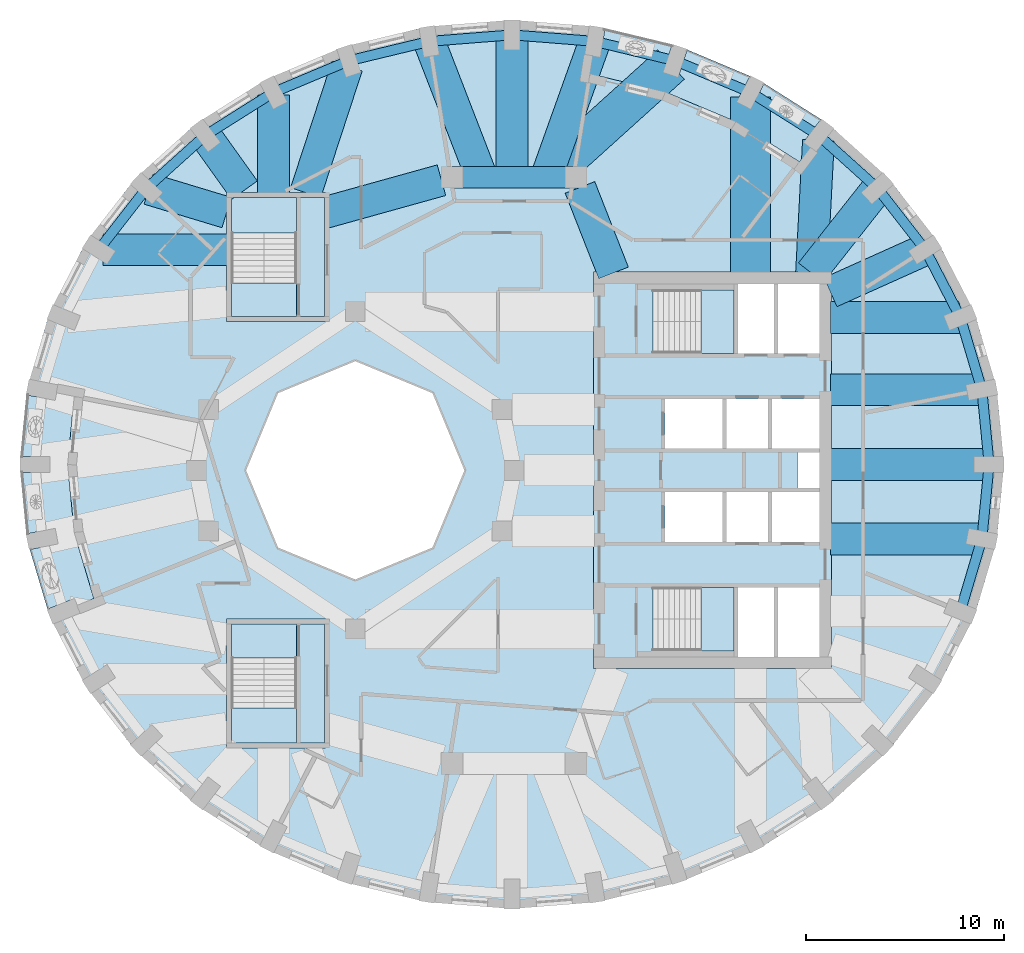
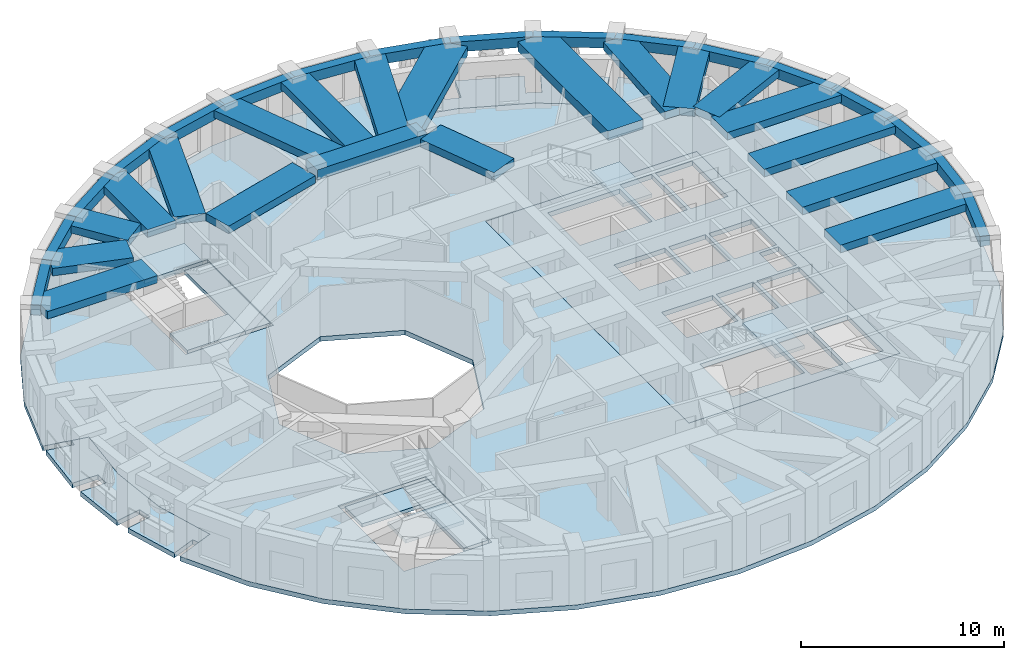
# One storey, part 2 of 12: 37 beams, 12 slabs, 4 elements without a shape of their own.
"""IFC4 building model written with IfcOpenShell, lengths in metres."""

import ifcopenshell
import ifcopenshell.guid

model = None  # the IFC model being written
_history = None  # IfcOwnerHistory: only IFC2X3 demands one
_inside = {}  # id of a spatial element -> (the spatial element, [elements in it])
_under = {}  # id of a project, library or spatial element -> (it, [spatial elements below it])
_declared = {}  # id of a project -> (the project, [libraries it declares])
_typed = {}  # id of a type object -> (the type object, [elements of that type])
_made_of = {}  # id of a material, layer set ... -> (it, [elements and type objects made of it])


def new_model(schema):
    """Start an empty IFC model of exactly this schema.

    Asked for "IFC4X3", IfcOpenShell would pick the latest addendum, in which some entities
    have other attributes; the version numbers below select the first issue.
    IFC2X3 requires an IfcOwnerHistory on every rooted entity: one is made here for all.
    """
    global model, _history
    if schema == "IFC4X3":
        model = ifcopenshell.file(schema_version=(4, 3, 0, 0))
    else:
        model = ifcopenshell.file(schema=schema)
    _inside.clear()
    _under.clear()
    _declared.clear()
    _typed.clear()
    _made_of.clear()
    _history = None
    if model.schema == "IFC2X3":
        org = make("IfcOrganization", Name="unknown")
        user = make(
            "IfcPersonAndOrganization",
            ThePerson=make("IfcPerson", FamilyName="unknown"),
            TheOrganization=org,
        )
        app = make(
            "IfcApplication",
            ApplicationDeveloper=org,
            Version="unknown",
            ApplicationFullName="unknown",
            ApplicationIdentifier="unknown",
        )
        _history = make(
            "IfcOwnerHistory",
            OwningUser=user,
            OwningApplication=app,
            ChangeAction="ADDED",
            CreationDate=0,
        )
    return model


def make(cls, **values):
    """One entity of the class cls with the attributes given. An attribute that is None is left unset."""
    return model.create_entity(
        cls, **{name: value for name, value in values.items() if value is not None}
    )


def rooted(cls, **values):
    """An entity with a GlobalId (a new one), such as an element, a storey or a relation."""
    return make(cls, GlobalId=ifcopenshell.guid.new(), OwnerHistory=_history, **values)


def si_unit(unit_type, name, prefix=None):
    """IfcSIUnit, for example si_unit("LENGTHUNIT", "METRE", prefix="MILLI")."""
    return make("IfcSIUnit", UnitType=unit_type, Prefix=prefix, Name=name)


def assignment(units):
    """IfcUnitAssignment: the units of a project."""
    return None if units is None else make("IfcUnitAssignment", Units=units)


def point(xyz):
    """IfcCartesianPoint."""
    return None if xyz is None else make("IfcCartesianPoint", Coordinates=xyz)


def direction(xyz):
    """IfcDirection."""
    return None if xyz is None else make("IfcDirection", DirectionRatios=xyz)


def frame(location, z_axis=None, x_axis=None):
    """IfcAxis2Placement3D, a coordinate frame: its origin and axes. An axis left out is left unset."""
    return make(
        "IfcAxis2Placement3D",
        Location=point(location),
        Axis=direction(z_axis),
        RefDirection=direction(x_axis),
    )


def frame_2d(location, x_axis=None):
    """IfcAxis2Placement2D, a coordinate frame in the plane: its origin and x axis."""
    return make(
        "IfcAxis2Placement2D", Location=point(location), RefDirection=direction(x_axis)
    )


def origin():
    """The frame at (0, 0, 0) with its axes left unset."""
    return frame((0.0, 0.0, 0.0))


def origin_2d():
    """The frame at (0, 0) in the plane with its x axis left unset."""
    return frame_2d((0.0, 0.0))


def place(relative_to, where):
    """IfcLocalPlacement: puts the frame where relative to a parent placement (None: the world)."""
    return make(
        "IfcLocalPlacement", PlacementRelTo=relative_to, RelativePlacement=where
    )


def context(
    kind, dimensions, precision=None, world=None, true_north=None, identifier=None
):
    """IfcGeometricRepresentationContext, for example the 3D "Model" context."""
    return make(
        "IfcGeometricRepresentationContext",
        ContextIdentifier=identifier,
        ContextType=kind,
        CoordinateSpaceDimension=dimensions,
        Precision=precision,
        WorldCoordinateSystem=world,
        TrueNorth=true_north,
    )


def subcontext(parent, identifier, kind, view, scale=None):
    """IfcGeometricRepresentationSubContext, for example "Body" below "Model"."""
    return make(
        "IfcGeometricRepresentationSubContext",
        ContextIdentifier=identifier,
        ContextType=kind,
        ParentContext=parent,
        TargetScale=scale,
        TargetView=view,
    )


def project(units=None, contexts=None):
    """IfcProject with its units and contexts."""
    return rooted(
        "IfcProject",
        Name="project",
        RepresentationContexts=contexts,
        UnitsInContext=assignment(units),
    )


def spatial(cls, under=None, at=None, **own):
    """A site, building, storey or space (cls), placed at a placement, below another one or the project."""
    s = rooted(cls, ObjectPlacement=at, **own)
    if under is not None:
        _under.setdefault(under.id(), (under, []))[1].append(s)
    return s


def polyline(points):
    """IfcPolyline through the points."""
    return make("IfcPolyline", Points=[point(p) for p in points])


def profile(cls, at=None, kind="AREA", **sizes):
    """A parametric profile (cls). Its sizes go by their IFC names, for example OverallWidth=200.0."""
    return make(cls, ProfileType=kind, Position=at, **sizes)


def rectangle(**sizes):
    """IfcRectangleProfileDef."""
    return profile("IfcRectangleProfileDef", **sizes)


def outline(outer, holes=None, kind="AREA"):
    """IfcArbitraryClosedProfileDef: a profile drawn as a closed curve; with holes, ...WithVoids."""
    if holes is None:
        return make("IfcArbitraryClosedProfileDef", ProfileType=kind, OuterCurve=outer)
    return make(
        "IfcArbitraryProfileDefWithVoids",
        ProfileType=kind,
        OuterCurve=outer,
        InnerCurves=holes,
    )


def extrude(swept, where, along, depth):
    """IfcExtrudedAreaSolid: the profile swept, set in the frame where, extruded along a direction by depth."""
    return make(
        "IfcExtrudedAreaSolid",
        SweptArea=swept,
        Position=where,
        ExtrudedDirection=direction(along),
        Depth=depth,
    )


def shape(context_of_items, identifier, shape_type, items):
    """IfcShapeRepresentation: the items that make up one representation, for example the "Body"."""
    return make(
        "IfcShapeRepresentation",
        ContextOfItems=context_of_items,
        RepresentationIdentifier=identifier,
        RepresentationType=shape_type,
        Items=items,
    )


def material(Name=None, Category=None):
    """IfcMaterial."""
    return make("IfcMaterial", Name=Name, Category=Category)


def layer(
    of_material, thickness, ventilated=None, Name=None, Category=None, Priority=None
):
    """IfcMaterialLayer: one layer of a wall or slab, of a material (None: an air gap)."""
    return make(
        "IfcMaterialLayer",
        Material=of_material,
        LayerThickness=thickness,
        IsVentilated=ventilated,
        Name=Name,
        Category=Category,
        Priority=Priority,
    )


def layer_set(layers, Name=None):
    """IfcMaterialLayerSet."""
    return make("IfcMaterialLayerSet", MaterialLayers=layers, LayerSetName=Name)


def material_profile(
    of_material, cross_section, Name=None, Category=None, Priority=None
):
    """IfcMaterialProfile: a cross section and its material."""
    return make(
        "IfcMaterialProfile",
        Name=Name,
        Material=of_material,
        Profile=cross_section,
        Priority=Priority,
        Category=Category,
    )


def profile_set(profiles, Name=None, composite=None):
    """IfcMaterialProfileSet."""
    return make(
        "IfcMaterialProfileSet",
        Name=Name,
        MaterialProfiles=profiles,
        CompositeProfile=composite,
    )


def made_of(thing, what):
    """Note that an element or type object is made of a material, layer set ...; save() writes the relation."""
    if what is not None:
        _made_of.setdefault(what.id(), (what, []))[1].append(thing)
    return thing


def type_object(cls, material=None, **own):
    """A type object (cls), such as IfcWallType, which elements share."""
    return made_of(rooted(cls, **own), material)


def element(
    cls,
    number,
    at=None,
    inside=None,
    cuts=None,
    type_object=None,
    material=None,
    context=None,
    identifier="Body",
    shape_type=None,
    held_by="IfcProductDefinitionShape",
    body=None,
    shapes=None,
    **own,
):
    """One element of the class cls, such as IfcWall. Its Tag is "e" and its number.

    at: its placement. inside: the storey or other place that contains it. cuts: it is an
    opening in that element (IfcRelVoidsElement). A single representation is given by context,
    identifier, shape_type and body (its items); several are given by shapes. held_by: the class
    of the entity that holds the representations. save() writes the other relations.
    """
    e = rooted(cls, Tag="e%d" % number, ObjectPlacement=at, **own)
    if body is not None:
        shapes = [shape(context, identifier, shape_type, body)]
    if shapes is not None:
        e.Representation = make(held_by, Representations=shapes)
    if inside is not None:
        _inside.setdefault(inside.id(), (inside, []))[1].append(e)
    if cuts is not None:
        rooted(
            "IfcRelVoidsElement", RelatingBuildingElement=cuts, RelatedOpeningElement=e
        )
    if type_object is not None:
        _typed.setdefault(type_object.id(), (type_object, []))[1].append(e)
    return made_of(e, material)


def aggregate(whole, parts):
    """IfcRelAggregates: a whole, such as a stair, and the parts it consists of."""
    return rooted("IfcRelAggregates", RelatingObject=whole, RelatedObjects=parts)


def save(model, path):
    """Write the relations noted so far, then the file.

    IfcRelAggregates (storeys below a building ...), IfcRelContainedInSpatialStructure (elements
    in a storey), IfcRelDefinesByType, IfcRelAssociatesMaterial and IfcRelDeclares: one each for
    every whole, place, type object, material and project.
    """
    for whole, parts in _under.values():
        aggregate(whole, parts)
    for where, things in _inside.values():
        rooted(
            "IfcRelContainedInSpatialStructure",
            RelatedElements=things,
            RelatingStructure=where,
        )
    for kind, things in _typed.values():
        rooted("IfcRelDefinesByType", RelatedObjects=things, RelatingType=kind)
    for what, things in _made_of.values():
        rooted("IfcRelAssociatesMaterial", RelatedObjects=things, RelatingMaterial=what)
    for by, libraries in _declared.values():
        rooted("IfcRelDeclares", RelatingContext=by, RelatedDefinitions=libraries)
    model.write(path)


model = new_model("IFC4")

# Units and contexts
model_context = context("Model", 3, precision=1e-05, world=origin(), true_north=direction((0.0, 1.0)))
body_context = subcontext(model_context, "Body", "Model", "MODEL_VIEW")
ifc_project = project(units=[si_unit("LENGTHUNIT", "METRE"), si_unit("AREAUNIT", "SQUARE_METRE"), si_unit("VOLUMEUNIT", "CUBIC_METRE"), si_unit("PLANEANGLEUNIT", "RADIAN"), si_unit("MASSUNIT", "GRAM", prefix="KILO")], contexts=[model_context])

# Site, building, storey
site_placement = place(None, origin())
site = spatial("IfcSite", under=ifc_project, at=site_placement, CompositionType="ELEMENT")
building_placement = place(site_placement, origin())
building = spatial("IfcBuilding", under=site, at=building_placement, Name="Taillehof Tower", CompositionType="ELEMENT")
storey_placement = place(building_placement, frame((0.0, 0.0, 233.300048828125)))
storey = spatial("IfcBuildingStorey", under=building, at=storey_placement, Name="L66", CompositionType="ELEMENT", Elevation=233.300048828125)

# Beams
ifc_material_1 = material(Name="Concrete C50/60", Category="concrete")
ifc_material_profile_1 = material_profile(ifc_material_1, rectangle(XDim=1.10009765625, YDim=0.60009765625, at=origin_2d()), Name="RC 1100x600")
ifc_profile_set_1 = profile_set([ifc_material_profile_1], Name="Concrete C50/60")
beam_type_1 = type_object("IfcBeamType", Name="Mid-ring beam C50/60 1100x600", PredefinedType="BEAM", material=ifc_profile_set_1)
beam_1_placement = place(storey_placement, frame((3.125732421875, 14.772216796875, 2.719970703125), z_axis=(-1.0, 0.0, 0.0), x_axis=(0.0, -1.0, 0.0)))
element("IfcBeam", 1, at=beam_1_placement, inside=storey, type_object=beam_type_1, Name="Mid-ring beam MB01", PredefinedType="BEAM", context=body_context, shape_type="SweptSolid", body=[
    extrude(rectangle(XDim=1.10009765625, YDim=0.60009765625, at=origin_2d()), origin(), (0.0, 0.0, 1.0), 6.25146484375),
])
ifc_material_2 = material(Name="Concrete C50/60", Category="concrete")
ifc_material_profile_2 = material_profile(ifc_material_2, rectangle(XDim=1.60009765625, YDim=0.449951171875, at=origin_2d()), Name="RC 1600x450")
ifc_profile_set_2 = profile_set([ifc_material_profile_2], Name="Concrete C50/60")
beam_type_2 = type_object("IfcBeamType", Name="Radial band beam C50/60 1600x450", PredefinedType="BEAM", material=ifc_profile_set_2)
beam_2_placement = place(storey_placement, frame((23.949951171875, 0.300048828125, 2.794921875), z_axis=(-1.0, 0.0, 0.0), x_axis=(0.0, -1.0, 0.0)))
element("IfcBeam", 2, at=beam_2_placement, inside=storey, type_object=beam_type_2, Name="Radial band beam RB01", PredefinedType="BEAM", context=body_context, shape_type="SweptSolid", body=[
    extrude(rectangle(XDim=1.60009765625, YDim=0.449951171875, at=origin_2d()), origin(), (0.0, 0.0, 1.0), 8.0),
])
beam_3_placement = place(storey_placement, frame((23.584716796875, 4.0595703125, 2.794921875), z_axis=(-1.0, 0.0, 0.0), x_axis=(0.0, -1.0, 0.0)))
element("IfcBeam", 3, at=beam_3_placement, inside=storey, type_object=beam_type_2, Name="Radial band beam RB02", PredefinedType="BEAM", context=body_context, shape_type="SweptSolid", body=[
    extrude(rectangle(XDim=1.60009765625, YDim=0.449951171875, at=origin_2d()), origin(), (0.0, 0.0, 1.0), 7.634765625),
])
beam_4_placement = place(storey_placement, frame((22.44580078125, 7.704833984375, 2.794921875), z_axis=(-1.0, 0.0, 0.0), x_axis=(0.0, -1.0, 0.0)))
element("IfcBeam", 4, at=beam_4_placement, inside=storey, type_object=beam_type_2, Name="Radial band beam RB03", PredefinedType="BEAM", context=body_context, shape_type="SweptSolid", body=[
    extrude(rectangle(XDim=1.60009765625, YDim=0.449951171875, at=origin_2d()), origin(), (0.0, 0.0, 1.0), 6.495849609375),
])
beam_5_placement = place(storey_placement, frame((20.72802734375, 11.125, 2.794921875), z_axis=(-0.912110813011, -0.409943733685, 0.0), x_axis=(0.409943733685, -0.912110813011, 0.0)))
element("IfcBeam", 5, at=beam_5_placement, inside=storey, type_object=beam_type_2, Name="Radial band beam RB04", PredefinedType="BEAM", context=body_context, shape_type="SweptSolid", body=[
    extrude(rectangle(XDim=1.60009765625, YDim=0.449951171875, at=origin_2d()), origin(), (0.0, 0.0, 1.0), 5.233642578125),
])
beam_6_placement = place(storey_placement, frame((18.323486328125, 14.21630859375, 2.794921875), z_axis=(-0.619052480422, -0.785349620541, 0.0), x_axis=(0.785349620541, -0.619052480422, 0.0)))
element("IfcBeam", 6, at=beam_6_placement, inside=storey, type_object=beam_type_2, Name="Radial band beam RB05", PredefinedType="BEAM", context=body_context, shape_type="SweptSolid", body=[
    extrude(rectangle(XDim=1.60009765625, YDim=0.449951171875, at=origin_2d()), origin(), (0.0, 0.0, 1.0), 5.418701171875),
])
beam_7_placement = place(storey_placement, frame((15.3466796875, 16.645751953125, 2.794921875), z_axis=(-0.052105887855, -0.998641565553, 0.0), x_axis=(0.998641565553, -0.052105887855, 0.0)))
element("IfcBeam", 7, at=beam_7_placement, inside=storey, type_object=beam_type_2, Name="Radial band beam RB06", PredefinedType="BEAM", context=body_context, shape_type="SweptSolid", body=[
    extrude(rectangle(XDim=1.60009765625, YDim=0.449951171875, at=origin_2d()), origin(), (0.0, 0.0, 1.0), 6.704833984375),
])
beam_8_placement = place(storey_placement, frame((4.076171875, 21.62109375, 2.794921875), z_axis=(-0.33687426523, -0.941549642571, 0.0), x_axis=(0.941549642571, -0.33687426523, 0.0)))
element("IfcBeam", 8, at=beam_8_placement, inside=storey, type_object=beam_type_2, Name="Radial band beam RB09", PredefinedType="BEAM", context=body_context, shape_type="SweptSolid", body=[
    extrude(rectangle(XDim=1.60009765625, YDim=0.449951171875, at=origin_2d()), origin(), (0.0, 0.0, 1.0), 7.27392578125),
])
beam_9_placement = place(storey_placement, frame((-0.10009765625, 21.949951171875, 2.794921875), z_axis=(0.0, -1.0, 0.0), x_axis=(1.0, 0.0, 0.0)))
element("IfcBeam", 9, at=beam_9_placement, inside=storey, type_object=beam_type_2, Name="Radial band beam RB10", PredefinedType="BEAM", context=body_context, shape_type="SweptSolid", body=[
    extrude(rectangle(XDim=1.60009765625, YDim=0.449951171875, at=origin_2d()), origin(), (0.0, 0.0, 1.0), 7.177734375),
])
beam_10_placement = place(storey_placement, frame((-4.276123046875, 21.62109375, 2.794921875), z_axis=(0.360900836016, -0.932604196089, 0.0), x_axis=(0.932604196089, 0.360900836016, 0.0)))
element("IfcBeam", 10, at=beam_10_placement, inside=storey, type_object=beam_type_2, Name="Radial band beam RB11", PredefinedType="BEAM", context=body_context, shape_type="SweptSolid", body=[
    extrude(rectangle(XDim=1.60009765625, YDim=0.449951171875, at=origin_2d()), origin(), (0.0, 0.0, 1.0), 7.34375),
])
beam_11_placement = place(storey_placement, frame((-8.41162109375, 20.38134765625, 2.794921875), z_axis=(-0.311042642597, -0.950395956687, 0.0), x_axis=(0.950395956687, -0.311042642597, 0.0)))
element("IfcBeam", 11, at=beam_11_placement, inside=storey, type_object=beam_type_2, Name="Radial band beam RB12", PredefinedType="BEAM", context=body_context, shape_type="SweptSolid", body=[
    extrude(rectangle(XDim=1.60009765625, YDim=0.449951171875, at=origin_2d()), origin(), (0.0, 0.0, 1.0), 6.715576171875),
])
beam_12_placement = place(storey_placement, frame((-12.125, 18.91552734375, 2.794921875), z_axis=(0.0, -1.0, 0.0), x_axis=(1.0, 0.0, 0.0)))
element("IfcBeam", 12, at=beam_12_placement, inside=storey, type_object=beam_type_2, Name="Radial band beam RB13", PredefinedType="BEAM", context=body_context, shape_type="SweptSolid", body=[
    extrude(rectangle(XDim=1.60009765625, YDim=0.449951171875, at=origin_2d()), origin(), (0.0, 0.0, 1.0), 4.965576171875),
])
beam_13_placement = place(storey_placement, frame((-15.55908203125, 16.884765625, 2.794921875), z_axis=(0.580959197129, -0.813932682272, 0.0), x_axis=(0.813932682272, 0.580959197129, 0.0)))
element("IfcBeam", 13, at=beam_13_placement, inside=storey, type_object=beam_type_2, Name="Radial band beam RB14", PredefinedType="BEAM", context=body_context, shape_type="SweptSolid", body=[
    extrude(rectangle(XDim=1.60009765625, YDim=0.449951171875, at=origin_2d()), origin(), (0.0, 0.0, 1.0), 3.394287109375),
])
beam_14_placement = place(storey_placement, frame((-18.413818359375, 14.18310546875, 2.794921875), z_axis=(0.957221394865, -0.289356529584, 0.0), x_axis=(0.289356529584, 0.957221394865, 0.0)))
element("IfcBeam", 14, at=beam_14_placement, inside=storey, type_object=beam_type_2, Name="Radial band beam RB15", PredefinedType="BEAM", context=body_context, shape_type="SweptSolid", body=[
    extrude(rectangle(XDim=1.60009765625, YDim=0.449951171875, at=origin_2d()), origin(), (0.0, 0.0, 1.0), 4.102294921875),
])
beam_15_placement = place(storey_placement, frame((-20.7119140625, 11.125, 2.794921875), z_axis=(1.0, 0.0, 0.0), x_axis=(0.0, 1.0, 0.0)))
element("IfcBeam", 15, at=beam_15_placement, inside=storey, type_object=beam_type_2, Name="Radial band beam RB16", PredefinedType="BEAM", context=body_context, shape_type="SweptSolid", body=[
    extrude(rectangle(XDim=1.60009765625, YDim=0.449951171875, at=origin_2d()), origin(), (0.0, 0.0, 1.0), 6.261962890625),
])
beam_16_placement = place(storey_placement, frame((23.584716796875, -3.45947265625, 2.794921875), z_axis=(-1.0, 0.0, 0.0), x_axis=(0.0, -1.0, 0.0)))
element("IfcBeam", 16, at=beam_16_placement, inside=storey, type_object=beam_type_2, Name="Radial band beam RB36", PredefinedType="BEAM", context=body_context, shape_type="SweptSolid", body=[
    extrude(rectangle(XDim=1.60009765625, YDim=0.449951171875, at=origin_2d()), origin(), (0.0, 0.0, 1.0), 7.634765625),
])
beam_17_placement = place(storey_placement, frame((3.32666015625, 14.26025390625, 2.794921875), z_axis=(0.365588707223, -0.930776502255, 0.0), x_axis=(0.930776502255, 0.365588707223, 0.0)))
element("IfcBeam", 17, at=beam_17_placement, inside=storey, type_object=beam_type_2, Name="Inner band beam IB205", PredefinedType="BEAM", context=body_context, shape_type="SweptSolid", body=[
    extrude(rectangle(XDim=1.60009765625, YDim=0.449951171875, at=origin_2d()), origin(), (0.0, 0.0, 1.0), 4.627197265625),
])
beam_18_placement = place(storey_placement, frame((-3.655517578125, 14.624755859375, 2.794921875), z_axis=(-0.963459369536, -0.267854518821, 0.0), x_axis=(0.267854518821, -0.963459369536, 0.0)))
element("IfcBeam", 18, at=beam_18_placement, inside=storey, type_object=beam_type_2, Name="Inner band beam IB206", PredefinedType="BEAM", context=body_context, shape_type="SweptSolid", body=[
    extrude(rectangle(XDim=1.60009765625, YDim=0.449951171875, at=origin_2d()), origin(), (0.0, 0.0, 1.0), 6.096923828125),
])
ifc_material_3 = material(Name="Concrete C50/60", Category="concrete")
ifc_material_profile_3 = material_profile(ifc_material_3, rectangle(XDim=2.0, YDim=0.550048828125, at=origin_2d()), Name="RC 2000x550")
ifc_profile_set_3 = profile_set([ifc_material_profile_3], Name="Concrete C50/60")
beam_type_3 = type_object("IfcBeamType", Name="Radial band beam C50/60 2000x550", PredefinedType="BEAM", material=ifc_profile_set_3)
beam_19_placement = place(storey_placement, frame((11.925048828125, 18.8115234375, 2.744873046875), z_axis=(0.0, -1.0, 0.0), x_axis=(1.0, 0.0, 0.0)))
element("IfcBeam", 19, at=beam_19_placement, inside=storey, type_object=beam_type_3, Name="Radial band beam RB07", PredefinedType="BEAM", context=body_context, shape_type="SweptSolid", body=[
    extrude(rectangle(XDim=2.0, YDim=0.550048828125, at=origin_2d()), origin(), (0.0, 0.0, 1.0), 8.861572265625),
])
beam_20_placement = place(storey_placement, frame((7.9150390625, 20.4541015625, 2.744873046875), z_axis=(-0.742031364941, -0.670365164253, 0.0), x_axis=(0.670365164253, -0.742031364941, 0.0)))
element("IfcBeam", 20, at=beam_20_placement, inside=storey, type_object=beam_type_3, Name="Radial band beam RB08", PredefinedType="BEAM", context=body_context, shape_type="SweptSolid", body=[
    extrude(rectangle(XDim=2.0, YDim=0.550048828125, at=origin_2d()), origin(), (0.0, 0.0, 1.0), 8.189453125),
])
ifc_material_4 = material(Name="Concrete C50/60", Category="concrete")
ifc_material_profile_4 = material_profile(ifc_material_4, rectangle(XDim=0.5, YDim=0.60009765625, at=origin_2d()), Name="RC 500x600")
ifc_profile_set_4 = profile_set([ifc_material_profile_4], Name="Concrete C50/60")
beam_type_4 = type_object("IfcBeamType", Name="Spandrel beam C50/60 500x600", PredefinedType="SPANDREL", material=ifc_profile_set_4)
beam_21_placement = place(storey_placement, frame((23.949951171875, 0.300048828125, 2.719970703125), z_axis=(-0.096693940319, 0.995314162416, 0.0), x_axis=(-0.995314162416, -0.096693940319, 0.0)))
element("IfcBeam", 21, at=beam_21_placement, inside=storey, type_object=beam_type_4, Name="Spandrel beam SB01", PredefinedType="SPANDREL", context=body_context, shape_type="SweptSolid", body=[
    extrude(rectangle(XDim=0.5, YDim=0.60009765625, at=origin_2d()), origin(), (0.0, 0.0, 1.0), 3.777099609375),
])
beam_22_placement = place(storey_placement, frame((23.584716796875, 4.0595703125, 2.719970703125), z_axis=(-0.285327303248, 0.95843013831, 0.0), x_axis=(-0.95843013831, -0.285327303248, 0.0)))
element("IfcBeam", 22, at=beam_22_placement, inside=storey, type_object=beam_type_4, Name="Spandrel beam SB02", PredefinedType="SPANDREL", context=body_context, shape_type="SweptSolid", body=[
    extrude(rectangle(XDim=0.5, YDim=0.60009765625, at=origin_2d()), origin(), (0.0, 0.0, 1.0), 3.803466796875),
])
beam_23_placement = place(storey_placement, frame((22.49951171875, 7.704833984375, 2.719970703125), z_axis=(-0.45992118545, 0.887959741865, 0.0), x_axis=(-0.887959741865, -0.45992118545, 0.0)))
element("IfcBeam", 23, at=beam_23_placement, inside=storey, type_object=beam_type_4, Name="Spandrel beam SB03", PredefinedType="SPANDREL", context=body_context, shape_type="SweptSolid", body=[
    extrude(rectangle(XDim=0.5, YDim=0.60009765625, at=origin_2d()), origin(), (0.0, 0.0, 1.0), 3.851806640625),
])
beam_24_placement = place(storey_placement, frame((20.72802734375, 11.125, 2.719970703125), z_axis=(-0.613970823209, 0.78932872002, 0.0), x_axis=(-0.78932872002, -0.613970823209, 0.0)))
element("IfcBeam", 24, at=beam_24_placement, inside=storey, type_object=beam_type_4, Name="Spandrel beam SB04", PredefinedType="SPANDREL", context=body_context, shape_type="SweptSolid", body=[
    extrude(rectangle(XDim=0.5, YDim=0.60009765625, at=origin_2d()), origin(), (0.0, 0.0, 1.0), 3.916259765625),
])
beam_25_placement = place(storey_placement, frame((18.323486328125, 14.21630859375, 2.719970703125), z_axis=(-0.743227182134, 0.669039128704, 0.0), x_axis=(-0.669039128704, -0.743227182134, 0.0)))
element("IfcBeam", 25, at=beam_25_placement, inside=storey, type_object=beam_type_4, Name="Spandrel beam SB05", PredefinedType="SPANDREL", context=body_context, shape_type="SweptSolid", body=[
    extrude(rectangle(XDim=0.5, YDim=0.60009765625, at=origin_2d()), origin(), (0.0, 0.0, 1.0), 3.988525390625),
])
beam_26_placement = place(storey_placement, frame((15.359130859375, 16.884765625, 2.719970703125), z_axis=(-0.845944476237, 0.5332709847, 0.0), x_axis=(-0.5332709847, -0.845944476237, 0.0)))
element("IfcBeam", 26, at=beam_26_placement, inside=storey, type_object=beam_type_4, Name="Spandrel beam SB06", PredefinedType="SPANDREL", context=body_context, shape_type="SweptSolid", body=[
    extrude(rectangle(XDim=0.5, YDim=0.60009765625, at=origin_2d()), origin(), (0.0, 0.0, 1.0), 4.0595703125),
])
beam_27_placement = place(storey_placement, frame((11.925048828125, 19.049560546875, 2.719970703125), z_axis=(-0.922076419735, 0.387007850267, 0.0), x_axis=(-0.387007850267, -0.922076419735, 0.0)))
element("IfcBeam", 27, at=beam_27_placement, inside=storey, type_object=beam_type_4, Name="Spandrel beam SB07", PredefinedType="SPANDREL", context=body_context, shape_type="SweptSolid", body=[
    extrude(rectangle(XDim=0.5, YDim=0.60009765625, at=origin_2d()), origin(), (0.0, 0.0, 1.0), 4.12060546875),
])
beam_28_placement = place(storey_placement, frame((8.12548828125, 20.644287109375, 2.719970703125), z_axis=(-0.972115850295, 0.234501116425, 0.0), x_axis=(-0.234501116425, -0.972115850295, 0.0)))
element("IfcBeam", 28, at=beam_28_placement, inside=storey, type_object=beam_type_4, Name="Spandrel beam SB08", PredefinedType="SPANDREL", context=body_context, shape_type="SweptSolid", body=[
    extrude(rectangle(XDim=0.5, YDim=0.60009765625, at=origin_2d()), origin(), (0.0, 0.0, 1.0), 4.16552734375),
])
beam_29_placement = place(storey_placement, frame((4.076171875, 21.62109375, 2.719970703125), z_axis=(-0.996914011582, 0.078501296247, 0.0), x_axis=(-0.078501296247, -0.996914011582, 0.0)))
element("IfcBeam", 29, at=beam_29_placement, inside=storey, type_object=beam_type_4, Name="Spandrel beam SB09", PredefinedType="SPANDREL", context=body_context, shape_type="SweptSolid", body=[
    extrude(rectangle(XDim=0.5, YDim=0.60009765625, at=origin_2d()), origin(), (0.0, 0.0, 1.0), 4.189208984375),
])
beam_30_placement = place(storey_placement, frame((-0.10009765625, 21.949951171875, 2.719970703125), z_axis=(-0.996913652411, -0.07850585734, 0.0), x_axis=(0.07850585734, -0.996913652411, 0.0)))
element("IfcBeam", 30, at=beam_30_placement, inside=storey, type_object=beam_type_4, Name="Spandrel beam SB10", PredefinedType="SPANDREL", context=body_context, shape_type="SweptSolid", body=[
    extrude(rectangle(XDim=0.5, YDim=0.60009765625, at=origin_2d()), origin(), (0.0, 0.0, 1.0), 4.18896484375),
])
beam_31_placement = place(storey_placement, frame((-4.276123046875, 21.62109375, 2.719970703125), z_axis=(-0.972119073064, -0.234487756154, 0.0), x_axis=(0.234487756154, -0.972119073064, 0.0)))
element("IfcBeam", 31, at=beam_31_placement, inside=storey, type_object=beam_type_4, Name="Spandrel beam SB11", PredefinedType="SPANDREL", context=body_context, shape_type="SweptSolid", body=[
    extrude(rectangle(XDim=0.5, YDim=0.60009765625, at=origin_2d()), origin(), (0.0, 0.0, 1.0), 4.165771484375),
])
beam_32_placement = place(storey_placement, frame((-8.32568359375, 20.644287109375, 2.719970703125), z_axis=(-0.922067545136, -0.387028994013, 0.0), x_axis=(0.387028994013, -0.922067545136, 0.0)))
element("IfcBeam", 32, at=beam_32_placement, inside=storey, type_object=beam_type_4, Name="Spandrel beam SB12", PredefinedType="SPANDREL", context=body_context, shape_type="SweptSolid", body=[
    extrude(rectangle(XDim=0.5, YDim=0.60009765625, at=origin_2d()), origin(), (0.0, 0.0, 1.0), 4.120361328125),
])
beam_33_placement = place(storey_placement, frame((-12.125, 19.049560546875, 2.719970703125), z_axis=(-0.845944476237, -0.5332709847, 0.0), x_axis=(0.5332709847, -0.845944476237, 0.0)))
element("IfcBeam", 33, at=beam_33_placement, inside=storey, type_object=beam_type_4, Name="Spandrel beam SB13", PredefinedType="SPANDREL", context=body_context, shape_type="SweptSolid", body=[
    extrude(rectangle(XDim=0.5, YDim=0.60009765625, at=origin_2d()), origin(), (0.0, 0.0, 1.0), 4.0595703125),
])
beam_34_placement = place(storey_placement, frame((-15.55908203125, 16.884765625, 2.719970703125), z_axis=(-0.743227182134, -0.669039128704, 0.0), x_axis=(0.669039128704, -0.743227182134, 0.0)))
element("IfcBeam", 34, at=beam_34_placement, inside=storey, type_object=beam_type_4, Name="Spandrel beam SB14", PredefinedType="SPANDREL", context=body_context, shape_type="SweptSolid", body=[
    extrude(rectangle(XDim=0.5, YDim=0.60009765625, at=origin_2d()), origin(), (0.0, 0.0, 1.0), 3.988525390625),
])
beam_35_placement = place(storey_placement, frame((-18.5234375, 14.21630859375, 2.719970703125), z_axis=(-0.613970823209, -0.78932872002, 0.0), x_axis=(0.78932872002, -0.613970823209, 0.0)))
element("IfcBeam", 35, at=beam_35_placement, inside=storey, type_object=beam_type_4, Name="Spandrel beam SB15", PredefinedType="SPANDREL", context=body_context, shape_type="SweptSolid", body=[
    extrude(rectangle(XDim=0.5, YDim=0.60009765625, at=origin_2d()), origin(), (0.0, 0.0, 1.0), 3.916259765625),
])
beam_36_placement = place(storey_placement, frame((22.49951171875, -7.104736328125, 2.719970703125), z_axis=(0.285327303248, 0.95843013831, 0.0), x_axis=(-0.95843013831, 0.285327303248, 0.0)))
element("IfcBeam", 36, at=beam_36_placement, inside=storey, type_object=beam_type_4, Name="Spandrel beam SB35", PredefinedType="SPANDREL", context=body_context, shape_type="SweptSolid", body=[
    extrude(rectangle(XDim=0.5, YDim=0.60009765625, at=origin_2d()), origin(), (0.0, 0.0, 1.0), 3.803466796875),
])
beam_37_placement = place(storey_placement, frame((23.584716796875, -3.45947265625, 2.719970703125), z_axis=(0.096693940319, 0.995314162416, 0.0), x_axis=(-0.995314162416, 0.096693940319, 0.0)))
element("IfcBeam", 37, at=beam_37_placement, inside=storey, type_object=beam_type_4, Name="Spandrel beam SB36", PredefinedType="SPANDREL", context=body_context, shape_type="SweptSolid", body=[
    extrude(rectangle(XDim=0.5, YDim=0.60009765625, at=origin_2d()), origin(), (0.0, 0.0, 1.0), 3.777099609375),
])

# Slabs
ifc_material_5 = material(Name="Concrete C40/50", Category="concrete")
ifc_layer_1 = layer(ifc_material_5, 0.280029296875)
ifc_layer_set_1 = layer_set([ifc_layer_1], Name="Balcony slab 280")
slab_type_1 = type_object("IfcSlabType", Name="Balcony slab 280", PredefinedType="USERDEFINED", material=ifc_layer_set_1)
slab_1_placement = place(storey_placement, frame((0.0, 0.0, -0.280029296875)))
element("IfcSlab", 38, at=slab_1_placement, inside=storey, type_object=slab_type_1, Name="Balcony L66 pocket 5", ObjectType="BALCONY", PredefinedType="USERDEFINED", context=body_context, shape_type="SweptSolid", body=[
    extrude(outline(polyline([(-21.17822265625, -6.464111328125), (-22.013427734375, -6.80078125), (-22.153564453125, -6.453369140625), (-23.511474609375, -7.00048828125), (-24.405029296875, -3.988037109375), (-22.971923828125, -3.708251953125), (-23.125244140625, -2.923095703125), (-24.560546875, -3.203369140625), (-24.861328125, -0.10009765625), (-23.39990234375, -0.10009765625), (-23.39990234375, 0.699951171875), (-24.861328125, 0.699951171875), (-24.560546875, 3.803466796875), (-23.125244140625, 3.523193359375), (-23.051025390625, 3.90234375), (-22.167724609375, 3.72998046875), (-22.5, 0.300048828125), (-22.167724609375, -3.1298828125), (-21.17822265625, -6.464111328125)])), origin(), (0.0, 0.0, 1.0), 0.280029296875),
])
slab_2_placement = place(storey_placement, frame((0.0, 0.0, -0.280029296875)))
element("IfcSlab", 39, at=slab_2_placement, inside=storey, type_object=slab_type_1, Name="Balcony L66 pocket 1", ObjectType="BALCONY", PredefinedType="USERDEFINED", context=body_context, shape_type="SweptSolid", body=[
    extrude(outline(polyline([(3.8291015625, 19.989501953125), (3.970458984375, 20.87841796875), (4.353271484375, 20.817626953125), (4.584228515625, 22.268310546875), (7.968994140625, 21.448974609375), (7.511474609375, 20.056884765625), (8.271240234375, 19.806884765625), (8.730224609375, 21.20263671875), (11.900390625, 19.8671875), (11.2236328125, 18.5693359375), (11.932861328125, 18.199462890625), (12.612060546875, 19.501708984375), (15.47021484375, 17.69384765625), (14.587158203125, 16.52880859375), (14.935546875, 16.2646484375), (14.3916015625, 15.546630859375), (11.190185546875, 17.571044921875), (7.632568359375, 19.069091796875), (3.8291015625, 19.989501953125)])), origin(), (0.0, 0.0, 1.0), 0.280029296875),
])
ifc_material_6 = material(Name="Concrete C40/50", Category="concrete")
ifc_layer_2 = layer(ifc_material_6, 0.280029296875)
ifc_layer_set_2 = layer_set([ifc_layer_2], Name="Core floor slab C40/50 280")
slab_type_2 = type_object("IfcSlabType", Name="Core floor slab C40/50 280", PredefinedType="FLOOR", material=ifc_layer_set_2)
slab_3_placement = place(storey_placement, frame((0.0, 0.0, -0.280029296875)))
element("IfcSlab", 40, at=slab_3_placement, inside=storey, type_object=slab_type_2, Name="Core floor L66", PredefinedType="FLOOR", context=body_context, shape_type="SweptSolid", body=[
    extrude(outline(polyline([(4.0, -10.0), (4.0, 10.0), (16.0, 10.0), (16.0, -10.0), (4.0, -10.0)]), holes=[polyline([(11.10009765625, -9.10009765625), (11.10009765625, -5.89990234375), (7.00048828125, -5.89990234375), (7.00048828125, -9.10009765625), (11.10009765625, -9.10009765625)]), polyline([(10.5, -3.60009765625), (10.5, -1.10009765625), (7.60009765625, -1.10009765625), (7.60009765625, -3.60009765625), (10.5, -3.60009765625)]), polyline([(12.800048828125, -3.60009765625), (12.800048828125, -1.10009765625), (10.699951171875, -1.10009765625), (10.699951171875, -3.60009765625), (12.800048828125, -3.60009765625)]), polyline([(10.5, 3.60009765625), (7.60009765625, 3.60009765625), (7.60009765625, 1.10009765625), (10.5, 1.10009765625), (10.5, 3.60009765625)]), polyline([(12.800048828125, 1.10009765625), (12.800048828125, 3.60009765625), (10.699951171875, 3.60009765625), (10.699951171875, 1.10009765625), (12.800048828125, 1.10009765625)]), polyline([(11.10009765625, 5.89990234375), (11.10009765625, 9.10009765625), (7.00048828125, 9.10009765625), (7.00048828125, 5.89990234375), (11.10009765625, 5.89990234375)]), polyline([(13.10009765625, 9.39990234375), (11.300048828125, 9.39990234375), (11.300048828125, 5.89990234375), (13.10009765625, 5.89990234375), (13.10009765625, 9.39990234375)]), polyline([(13.10009765625, -9.39990234375), (13.10009765625, -5.89990234375), (11.300048828125, -5.89990234375), (11.300048828125, -9.39990234375), (13.10009765625, -9.39990234375)]), polyline([(15.39990234375, -9.39990234375), (15.39990234375, -5.89990234375), (13.300048828125, -5.89990234375), (13.300048828125, -9.39990234375), (15.39990234375, -9.39990234375)]), polyline([(15.39990234375, -3.60009765625), (15.39990234375, -1.10009765625), (13.0, -1.10009765625), (13.0, -3.60009765625), (15.39990234375, -3.60009765625)]), polyline([(15.39990234375, -0.89990234375), (15.39990234375, 0.89990234375), (14.300048828125, 0.89990234375), (14.300048828125, -0.89990234375), (15.39990234375, -0.89990234375)]), polyline([(15.39990234375, 1.10009765625), (15.39990234375, 3.60009765625), (13.0, 3.60009765625), (13.0, 1.10009765625), (15.39990234375, 1.10009765625)]), polyline([(15.39990234375, 5.89990234375), (15.39990234375, 9.39990234375), (13.300048828125, 9.39990234375), (13.300048828125, 5.89990234375), (15.39990234375, 5.89990234375)])]), origin(), (0.0, 0.0, 1.0), 0.280029296875),
])
ifc_material_7 = material(Name="Concrete C40/50", Category="concrete")
ifc_layer_3 = layer(ifc_material_7, 0.280029296875)
ifc_layer_set_3 = layer_set([ifc_layer_3], Name="Floor slab 280")
slab_type_3 = type_object("IfcSlabType", Name="Floor slab 280", PredefinedType="FLOOR", material=ifc_layer_set_3)
slab_4_placement = place(storey_placement, frame((0.0, 0.0, -0.280029296875)))
element("IfcSlab", 41, at=slab_4_placement, inside=storey, type_object=slab_type_3, Name="Floor slab L66", PredefinedType="FLOOR", context=body_context, shape_type="SweptSolid", body=[
    extrude(outline(polyline([(24.699951171875, 0.300048828125), (24.3232421875, 4.189697265625), (23.204345703125, 7.961181640625), (21.37744140625, 11.5), (18.89794921875, 14.698486328125), (15.841064453125, 17.45947265625), (14.3916015625, 15.546630859375), (11.190185546875, 17.57080078125), (7.632568359375, 19.069091796875), (3.8291015625, 19.989501953125), (4.20654296875, 22.359619140625), (-0.10009765625, 22.699951171875), (-4.406494140625, 22.359619140625), (-8.58203125, 21.34912109375), (-12.5, 19.698974609375), (-16.041015625, 17.45947265625), (-19.097900390625, 14.698486328125), (-21.577392578125, 11.5), (-23.404296875, 7.961181640625), (-24.523193359375, 4.189697265625), (-22.167724609375, 3.72998046875), (-22.5, 0.300048828125), (-22.167724609375, -3.1298828125), (-21.17822265625, -6.464111328125), (-23.404296875, -7.361328125), (-21.577392578125, -10.89990234375), (-19.097900390625, -14.098388671875), (-16.041015625, -16.859375), (-12.5, -19.09912109375), (-8.58203125, -20.7490234375), (-4.406494140625, -21.759765625), (-0.10009765625, -22.10009765625), (4.20654296875, -21.759765625), (8.382080078125, -20.7490234375), (12.300048828125, -19.09912109375), (15.841064453125, -16.859375), (18.89794921875, -14.098388671875), (21.37744140625, -10.89990234375), (23.204345703125, -7.361328125), (24.3232421875, -3.589599609375), (24.699951171875, 0.300048828125)]), holes=[polyline([(-14.5, -7.5), (-9.5, -7.5), (-9.5, -14.0), (-14.5, -14.0), (-14.5, -7.5)]), polyline([(-8.0, -5.5), (-11.88916015625, -3.88916015625), (-13.5, 0.0), (-11.88916015625, 3.88916015625), (-8.0, 5.5), (-4.11083984375, 3.88916015625), (-2.5, 0.0), (-4.11083984375, -3.88916015625), (-8.0, -5.5)]), polyline([(16.0, 10.0), (16.0, -10.0), (4.0, -10.0), (4.0, 10.0), (16.0, 10.0)]), polyline([(-14.5, 14.0), (-9.5, 14.0), (-9.5, 7.5), (-14.5, 7.5), (-14.5, 14.0)])]), origin(), (0.0, 0.0, 1.0), 0.280029296875),
])

# Stair, slab
ifc_material_8 = material(Name="Concrete C40/50", Category="concrete")
stair_type = type_object("IfcStairType", Name="Exit stair half-turn", PredefinedType="HALF_TURN_STAIR", material=ifc_material_8)
stair_1_placement = place(storey_placement, origin())
stair_1 = element("IfcStair", 42, at=stair_1_placement, inside=storey, type_object=stair_type, Name="Exit stair S1", PredefinedType="HALF_TURN_STAIR")
ifc_material_9 = material(Name="Concrete C40/50", Category="concrete")
ifc_layer_4 = layer(ifc_material_9, 0.2099609375)
ifc_layer_set_4 = layer_set([ifc_layer_4], Name="Stair landing C40/50 210")
slab_type_4 = type_object("IfcSlabType", Name="Stair landing C40/50 210", PredefinedType="LANDING", material=ifc_layer_set_4)
slab_5_placement = place(storey_placement, frame((0.0, 0.0, 1.43994140625)))
slab_5 = element("IfcSlab", 43, at=slab_5_placement, type_object=slab_type_4, Name="S1 landing 1", PredefinedType="LANDING", context=body_context, shape_type="SweptSolid", body=[
    extrude(outline(polyline([(9.429931640625, 5.89990234375), (11.10009765625, 5.89990234375), (11.10009765625, 9.10009765625), (9.429931640625, 9.10009765625), (9.429931640625, 5.89990234375)])), origin(), (0.0, 0.0, 1.0), 0.2099609375),
])
aggregate(stair_1, [slab_5])

stair_2_placement = place(storey_placement, origin())
stair_2 = element("IfcStair", 44, at=stair_2_placement, inside=storey, type_object=stair_type, Name="Exit stair S2", PredefinedType="HALF_TURN_STAIR")
slab_6_placement = place(storey_placement, frame((0.0, 0.0, 1.43994140625)))
slab_6 = element("IfcSlab", 45, at=slab_6_placement, type_object=slab_type_4, Name="S2 landing 1", PredefinedType="LANDING", context=body_context, shape_type="SweptSolid", body=[
    extrude(outline(polyline([(9.429931640625, -5.89990234375), (11.10009765625, -5.89990234375), (11.10009765625, -9.10009765625), (9.429931640625, -9.10009765625), (9.429931640625, -5.89990234375)])), origin(), (0.0, 0.0, 1.0), 0.2099609375),
])
aggregate(stair_2, [slab_6])

stair_3_placement = place(storey_placement, origin())
stair_3 = element("IfcStair", 46, at=stair_3_placement, inside=storey, type_object=stair_type, Name="Exit stair S3", PredefinedType="HALF_TURN_STAIR")
slab_7_placement = place(storey_placement, frame((0.0, 0.0, 1.43994140625)))
slab_7 = element("IfcSlab", 47, at=slab_7_placement, type_object=slab_type_4, Name="S3 landing 1", PredefinedType="LANDING", context=body_context, shape_type="SweptSolid", body=[
    extrude(outline(polyline([(-14.25, 11.969970703125), (-14.25, 13.75), (-10.949951171875, 13.75), (-10.949951171875, 11.969970703125), (-14.25, 11.969970703125)])), origin(), (0.0, 0.0, 1.0), 0.2099609375),
])
aggregate(stair_3, [slab_7])

stair_4_placement = place(storey_placement, origin())
stair_4 = element("IfcStair", 48, at=stair_4_placement, inside=storey, type_object=stair_type, Name="Exit stair S4", PredefinedType="HALF_TURN_STAIR")
slab_8_placement = place(storey_placement, frame((0.0, 0.0, 1.43994140625)))
slab_8 = element("IfcSlab", 49, at=slab_8_placement, type_object=slab_type_4, Name="S4 landing 1", PredefinedType="LANDING", context=body_context, shape_type="SweptSolid", body=[
    extrude(outline(polyline([(-14.25, -11.969970703125), (-14.25, -13.75), (-10.949951171875, -13.75), (-10.949951171875, -11.969970703125), (-14.25, -11.969970703125)])), origin(), (0.0, 0.0, 1.0), 0.2099609375),
])
aggregate(stair_4, [slab_8])

# Slabs
slab_9_placement = place(storey_placement, frame((0.0, 0.0, -0.2099609375)))
element("IfcSlab", 50, at=slab_9_placement, inside=storey, type_object=slab_type_4, Name="Stair S3 floor landing", PredefinedType="LANDING", context=body_context, shape_type="SweptSolid", body=[
    extrude(outline(polyline([(-14.25, 7.75), (-14.25, 9.449951171875), (-10.949951171875, 9.449951171875), (-10.949951171875, 7.75), (-14.25, 7.75)])), origin(), (0.0, 0.0, 1.0), 0.2099609375),
])
slab_10_placement = place(storey_placement, frame((0.0, 0.0, -0.2099609375)))
element("IfcSlab", 51, at=slab_10_placement, inside=storey, type_object=slab_type_4, Name="Stair lobby S3 floor", PredefinedType="LANDING", context=body_context, shape_type="SweptSolid", body=[
    extrude(outline(polyline([(-10.949951171875, 7.75), (-9.550048828125, 7.75), (-9.550048828125, 13.75), (-10.949951171875, 13.75), (-10.949951171875, 7.75)])), origin(), (0.0, 0.0, 1.0), 0.2099609375),
])
slab_11_placement = place(storey_placement, frame((0.0, 0.0, -0.2099609375)))
element("IfcSlab", 52, at=slab_11_placement, inside=storey, type_object=slab_type_4, Name="Stair S4 floor landing", PredefinedType="LANDING", context=body_context, shape_type="SweptSolid", body=[
    extrude(outline(polyline([(-14.25, -7.75), (-14.25, -9.449951171875), (-10.949951171875, -9.449951171875), (-10.949951171875, -7.75), (-14.25, -7.75)])), origin(), (0.0, 0.0, 1.0), 0.2099609375),
])
slab_12_placement = place(storey_placement, frame((0.0, 0.0, -0.2099609375)))
element("IfcSlab", 53, at=slab_12_placement, inside=storey, type_object=slab_type_4, Name="Stair lobby S4 floor", PredefinedType="LANDING", context=body_context, shape_type="SweptSolid", body=[
    extrude(outline(polyline([(-10.949951171875, -13.75), (-9.550048828125, -13.75), (-9.550048828125, -7.75), (-10.949951171875, -7.75), (-10.949951171875, -13.75)])), origin(), (0.0, 0.0, 1.0), 0.2099609375),
])

save(model, "model.ifc")
